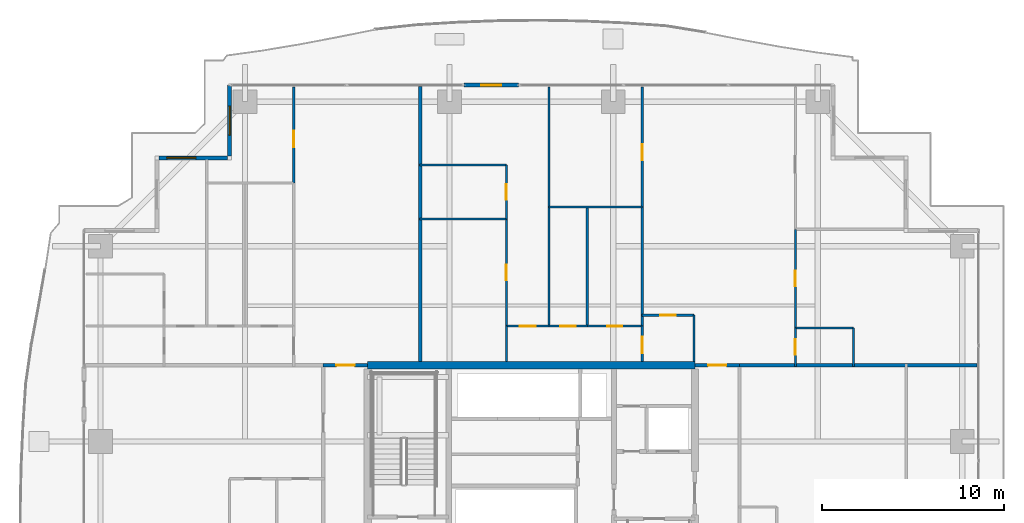
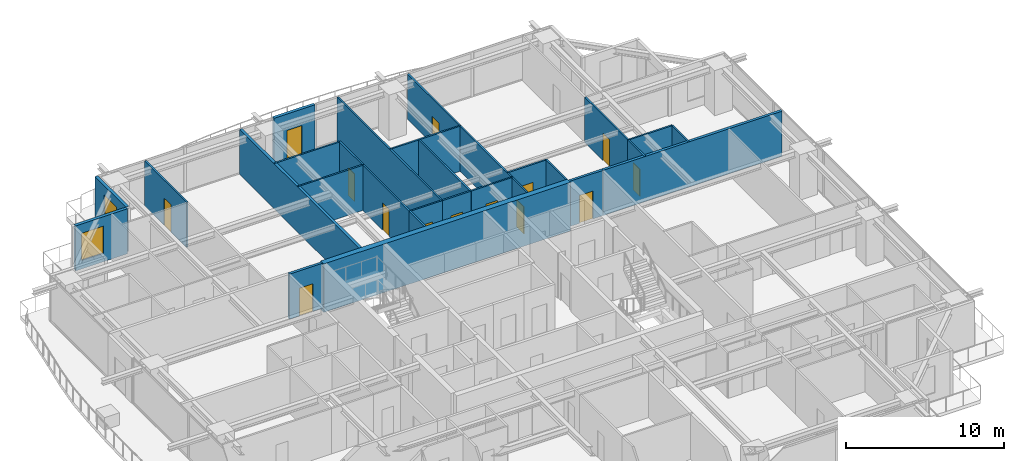
# One storey, part 30 of 37: 29 walls, 14 doors, 2 windows, 16 openings.
"""IFC4 building model written with IfcOpenShell, lengths in metres."""

from ifc_helpers import new_model, si_unit, direction, frame, frame_2d, origin, place, context, subcontext, project, spatial, rectangle, extrude, source, transform, mapped, material, layer, layer_set, type_object, element, fill, save


model = new_model("IFC4")

# Units and contexts
model_context = context("Model", 3, precision=1e-05, world=origin(), true_north=direction((0.0, 1.0)))
body_context = subcontext(model_context, "Body", "Model", "MODEL_VIEW")
ifc_project = project(units=[si_unit("LENGTHUNIT", "METRE"), si_unit("AREAUNIT", "SQUARE_METRE"), si_unit("VOLUMEUNIT", "CUBIC_METRE"), si_unit("PLANEANGLEUNIT", "RADIAN"), si_unit("MASSUNIT", "GRAM", prefix="KILO")], contexts=[model_context])

# Site, building, storey
site_placement = place(None, origin())
site = spatial("IfcSite", under=ifc_project, at=site_placement, CompositionType="ELEMENT")
building_placement = place(site_placement, origin())
building = spatial("IfcBuilding", under=site, at=building_placement, Name="Serunith Strait Residences", CompositionType="ELEMENT")
storey_placement = place(building_placement, frame((0.0, 0.0, 153.89990234375)))
storey = spatial("IfcBuildingStorey", under=building, at=storey_placement, Name="L38", CompositionType="ELEMENT", Elevation=153.89990234375)

# Wall, opening, door
ifc_material_1 = material(Name="Pale-Champagne Aluminium Insulated Panel", Category="aluminium")
ifc_layer_1 = layer(ifc_material_1, 0.219970703125, Name="Pale-Champagne Aluminium Insulated Panel")
ifc_layer_set_1 = layer_set([ifc_layer_1], Name="Pale-Champagne Aluminium Insulated Panel")
wall_type_1 = type_object("IfcWallType", Name="EW-ALUM-220", PredefinedType="ELEMENTEDWALL", material=ifc_layer_set_1)
wall_1_placement = place(storey_placement, frame((31.699951171875, 49.0, 0.0), z_axis=(0.0, 0.0, 1.0), x_axis=(-1.0, 0.0, 0.0)))
wall_1 = element("IfcWall", 1, at=wall_1_placement, inside=storey, type_object=wall_type_1, Name="L38 N Facade Pier Wall", PredefinedType="ELEMENTEDWALL", context=body_context, shape_type="SweptSolid", body=[
    extrude(rectangle(XDim=3.0, YDim=0.219970703125, at=frame_2d((1.5, 0.0))), origin(), (0.0, 0.0, 1.0), 3.47509765625),
])
opening_1_placement = place(wall_1_placement, frame((0.949951171875, 0.0, 0.0)))
opening_1 = element("IfcOpeningElement", 2, at=opening_1_placement, cuts=wall_1, Name="Opening ED-03", PredefinedType="OPENING", context=body_context, shape_type="SweptSolid", body=[
    extrude(rectangle(XDim=1.10009765625, YDim=2.199951171875, at=frame_2d((0.550048828125, 1.10009765625))), frame((0.0, 0.1201171875, 0.0), z_axis=(0.0, -1.0, 0.0), x_axis=(1.0, 0.0, 0.0)), (0.0, 0.0, 1.0), 0.239990234375),
])
ifc_material_2 = material(Name="Thermally-Broken Aluminium Glazed Balcony Door", Category="aluminium")
door_type_1 = type_object("IfcDoorType", Name="ED-BALC-1100", OperationType="NOTDEFINED", PredefinedType="DOOR", material=ifc_material_2)
shared_shape_1 = source(origin(), body_context, "Body", "SweptSolid", [
    extrude(rectangle(XDim=1.10009765625, YDim=2.199951171875, at=frame_2d((0.550048828125, 1.10009765625))), frame((0.0, 0.02490234375, 0.0), z_axis=(0.0, -1.0, 0.0), x_axis=(1.0, 0.0, 0.0)), (0.0, 0.0, 1.0), 0.050048828125),
])
door_1_placement = place(opening_1_placement, origin())
door_1 = element("IfcDoor", 3, at=door_1_placement, inside=storey, type_object=door_type_1, Name="L38 N Vertical-Forest Balcony Door", OperationType="SINGLE_SWING_RIGHT", OverallHeight=2.199951171875, OverallWidth=1.10009765625, PredefinedType="DOOR", context=body_context, shape_type="MappedRepresentation", body=[
    mapped(shared_shape_1, transform((0.0, 0.0, 0.0), scale=1.0)),
])
fill(opening_1, door_1)

# Wall, opening, window
wall_2_placement = place(storey_placement, frame((15.800048828125, 49.0, 0.0), z_axis=(0.0, 0.0, 1.0), x_axis=(0.0, -1.0, 0.0)))
wall_2 = element("IfcWall", 4, at=wall_2_placement, inside=storey, type_object=wall_type_1, Name="L38 Girih Serrated Corner Wall 12", PredefinedType="ELEMENTEDWALL", context=body_context, shape_type="SweptSolid", body=[
    extrude(rectangle(XDim=3.889892578125, YDim=0.219970703125, at=frame_2d((1.94482421875, 0.0))), origin(), (0.0, 0.0, 1.0), 3.47509765625),
])
opening_2_placement = place(wall_2_placement, frame((1.14501953125, 0.0, 0.64990234375)))
opening_2 = element("IfcOpeningElement", 5, at=opening_2_placement, cuts=wall_2, Name="Opening W-02", PredefinedType="OPENING", context=body_context, shape_type="SweptSolid", body=[
    extrude(rectangle(XDim=1.60009765625, YDim=2.10009765625, at=frame_2d((0.800048828125, 1.050048828125))), frame((0.0, 0.1201171875, 0.0), z_axis=(0.0, -1.0, 0.0), x_axis=(1.0, 0.0, 0.0)), (0.0, 0.0, 1.0), 0.239990234375),
])
ifc_material_3 = material(Name="Ceramic-Fritted Operable Aluminium Window Glass", Category="aluminium")
window_type = type_object("IfcWindowType", Name="WIN-C2", PartitioningType="DOUBLE_PANEL_VERTICAL", PredefinedType="WINDOW", material=ifc_material_3)
shared_shape_2 = source(origin(), body_context, "Body", "SweptSolid", [
    extrude(rectangle(XDim=1.60009765625, YDim=2.10009765625, at=frame_2d((0.800048828125, 1.050048828125))), frame((0.0, 0.030029296875, 0.0), z_axis=(0.0, -1.0, 0.0), x_axis=(1.0, 0.0, 0.0)), (0.0, 0.0, 1.0), 0.06005859375),
])
window_1_placement = place(opening_2_placement, origin())
window_1 = element("IfcWindow", 6, at=window_1_placement, inside=storey, type_object=window_type, Name="L38 Corner Operable Fritted Window 12", OverallHeight=2.10009765625, OverallWidth=1.60009765625, PartitioningType="SINGLE_PANEL", PredefinedType="WINDOW", context=body_context, shape_type="MappedRepresentation", body=[
    mapped(shared_shape_2, transform((0.0, 0.0, 0.0), scale=1.0)),
])
fill(opening_2, window_1)

wall_3_placement = place(storey_placement, frame((15.68994140625, 45.0, 0.0), z_axis=(0.0, 0.0, 1.0), x_axis=(-1.0, 0.0, 0.0)))
wall_3 = element("IfcWall", 7, at=wall_3_placement, inside=storey, type_object=wall_type_1, Name="L38 Girih Serrated Corner Wall 13", PredefinedType="ELEMENTEDWALL", context=body_context, shape_type="SweptSolid", body=[
    extrude(rectangle(XDim=3.780029296875, YDim=0.219970703125, at=frame_2d((1.89013671875, 0.0))), origin(), (0.0, 0.0, 1.0), 3.47509765625),
])
opening_3_placement = place(wall_3_placement, frame((1.743896484375, 0.0, 0.64990234375)))
opening_3 = element("IfcOpeningElement", 8, at=opening_3_placement, cuts=wall_3, Name="Opening W-02", PredefinedType="OPENING", context=body_context, shape_type="SweptSolid", body=[
    extrude(rectangle(XDim=1.60009765625, YDim=2.10009765625, at=frame_2d((0.800048828125, 1.050048828125))), frame((0.0, 0.1201171875, 0.0), z_axis=(0.0, -1.0, 0.0), x_axis=(1.0, 0.0, 0.0)), (0.0, 0.0, 1.0), 0.239990234375),
])
window_2_placement = place(opening_3_placement, origin())
window_2 = element("IfcWindow", 9, at=window_2_placement, inside=storey, type_object=window_type, Name="L38 Corner Operable Fritted Window 13", OverallHeight=2.10009765625, OverallWidth=1.60009765625, PartitioningType="SINGLE_PANEL", PredefinedType="WINDOW", context=body_context, shape_type="MappedRepresentation", body=[
    mapped(shared_shape_2, transform((0.0, 0.0, 0.0), scale=1.0)),
])
fill(opening_3, window_2)

# Wall, opening, door
ifc_material_4 = material(Name="Fire-rated acoustic gypsum partition")
ifc_layer_2 = layer(ifc_material_4, 0.179931640625, Name="Fire-rated acoustic gypsum partition")
ifc_layer_set_2 = layer_set([ifc_layer_2], Name="Fire-rated acoustic gypsum partition")
wall_type_2 = type_object("IfcWallType", Name="IW-CORR-180", PredefinedType="PARTITIONING", material=ifc_layer_set_2)
wall_4_placement = place(storey_placement, frame((20.951904296875, 33.60009765625, 0.0), z_axis=(0.0, 0.0, 1.0), x_axis=(1.0, 0.0, 0.0)))
wall_4 = element("IfcWall", 10, at=wall_4_placement, inside=storey, type_object=wall_type_2, Name="L38 Partition Wall 030", PredefinedType="PARTITIONING", context=body_context, shape_type="SweptSolid", body=[
    extrude(rectangle(XDim=2.446044921875, YDim=0.179931640625, at=frame_2d((1.22314453125, 0.0))), origin(), (0.0, 0.0, 1.0), 3.489990234375),
])
opening_4_placement = place(wall_4_placement, frame((0.722900390625, 0.0, 0.0)))
opening_4 = element("IfcOpeningElement", 11, at=opening_4_placement, cuts=wall_4, Name="Opening D-APT1000", PredefinedType="OPENING", context=body_context, shape_type="SweptSolid", body=[
    extrude(rectangle(XDim=1.0, YDim=2.14990234375, at=frame_2d((0.5, 1.074951171875))), frame((0.0, 0.10009765625, 0.0), z_axis=(0.0, -1.0, 0.0), x_axis=(1.0, 0.0, 0.0)), (0.0, 0.0, 1.0), 0.199951171875),
])
ifc_material_5 = material(Name="Solid timber engineered fire door", Category="wood")
door_type_2 = type_object("IfcDoorType", Name="ID-APT-1000", OperationType="NOTDEFINED", PredefinedType="DOOR", material=ifc_material_5)
shared_shape_3 = source(origin(), body_context, "Body", "SweptSolid", [
    extrude(rectangle(XDim=1.0, YDim=2.14990234375, at=frame_2d((0.5, 1.074951171875))), frame((0.0, 0.02490234375, 0.0), z_axis=(0.0, -1.0, 0.0), x_axis=(1.0, 0.0, 0.0)), (0.0, 0.0, 1.0), 0.050048828125),
])
door_2_placement = place(opening_4_placement, origin())
door_2 = element("IfcDoor", 12, at=door_2_placement, inside=storey, type_object=door_type_2, Name="L38 Unit 03 Entrance Door", OperationType="SINGLE_SWING_LEFT", OverallHeight=2.14990234375, OverallWidth=1.0, PredefinedType="DOOR", context=body_context, shape_type="MappedRepresentation", body=[
    mapped(shared_shape_3, transform((0.0, 0.0, 0.0), scale=1.0)),
])
fill(opening_4, door_2)

wall_5_placement = place(storey_placement, frame((41.402099609375, 33.60009765625, 0.0), z_axis=(0.0, 0.0, 1.0), x_axis=(1.0, 0.0, 0.0)))
wall_5 = element("IfcWall", 13, at=wall_5_placement, inside=storey, type_object=wall_type_2, Name="L38 Partition Wall 031", PredefinedType="PARTITIONING", context=body_context, shape_type="SweptSolid", body=[
    extrude(rectangle(XDim=2.44580078125, YDim=0.179931640625, at=frame_2d((1.222900390625, 0.0))), origin(), (0.0, 0.0, 1.0), 3.489990234375),
])
opening_5_placement = place(wall_5_placement, frame((0.722900390625, 0.0, 0.0)))
opening_5 = element("IfcOpeningElement", 14, at=opening_5_placement, cuts=wall_5, Name="Opening D-APT1000", PredefinedType="OPENING", context=body_context, shape_type="SweptSolid", body=[
    extrude(rectangle(XDim=1.0, YDim=2.14990234375, at=frame_2d((0.5, 1.074951171875))), frame((0.0, 0.10009765625, 0.0), z_axis=(0.0, -1.0, 0.0), x_axis=(1.0, 0.0, 0.0)), (0.0, 0.0, 1.0), 0.199951171875),
])
door_3_placement = place(opening_5_placement, origin())
door_3 = element("IfcDoor", 15, at=door_3_placement, inside=storey, type_object=door_type_2, Name="L38 Unit 04 Entrance Door", OperationType="SINGLE_SWING_RIGHT", OverallHeight=2.14990234375, OverallWidth=1.0, PredefinedType="DOOR", context=body_context, shape_type="MappedRepresentation", body=[
    mapped(shared_shape_3, transform((0.0, 0.0, 0.0), scale=1.0)),
])
fill(opening_5, door_3)

ifc_material_6 = material(Name="Lightweight steel-stud gypsum partition", Category="steel")
ifc_layer_3 = layer(ifc_material_6, 0.1201171875, Name="Lightweight steel-stud gypsum partition")
ifc_layer_set_3 = layer_set([ifc_layer_3], Name="Lightweight steel-stud gypsum partition")
wall_type_3 = type_object("IfcWallType", Name="IW-PART-120", PredefinedType="PARTITIONING", material=ifc_layer_set_3)
wall_6_placement = place(storey_placement, frame((19.330078125, 48.905029296875, 0.0), z_axis=(0.0, 0.0, 1.0), x_axis=(0.0, -1.0, 0.0)))
wall_6 = element("IfcWall", 16, at=wall_6_placement, inside=storey, type_object=wall_type_3, Name="L38 Partition Wall 070", PredefinedType="PARTITIONING", context=body_context, shape_type="SweptSolid", body=[
    extrude(rectangle(XDim=5.2900390625, YDim=0.1201171875, at=frame_2d((2.64501953125, 0.0))), origin(), (0.0, 0.0, 1.0), 3.489990234375),
])
opening_6_placement = place(wall_6_placement, frame((2.4140625, 0.0, 0.0)))
opening_6 = element("IfcOpeningElement", 17, at=opening_6_placement, cuts=wall_6, Name="Opening D-RM900", PredefinedType="OPENING", context=body_context, shape_type="SweptSolid", body=[
    extrude(rectangle(XDim=0.89990234375, YDim=2.10009765625, at=frame_2d((0.449951171875, 1.050048828125))), frame((0.0, 0.070068359375, 0.0), z_axis=(0.0, -1.0, 0.0), x_axis=(1.0, 0.0, 0.0)), (0.0, 0.0, 1.0), 0.14013671875),
])
ifc_material_7 = material(Name="Engineered timber flush bedroom door", Category="wood")
door_type_3 = type_object("IfcDoorType", Name="ID-ROOM-900", OperationType="NOTDEFINED", PredefinedType="DOOR", material=ifc_material_7)
shared_shape_4 = source(origin(), body_context, "Body", "SweptSolid", [
    extrude(rectangle(XDim=0.89990234375, YDim=2.10009765625, at=frame_2d((0.449951171875, 1.050048828125))), frame((0.0, 0.02490234375, 0.0), z_axis=(0.0, -1.0, 0.0), x_axis=(1.0, 0.0, 0.0)), (0.0, 0.0, 1.0), 0.050048828125),
])
door_4_placement = place(opening_6_placement, origin())
door_4 = element("IfcDoor", 18, at=door_4_placement, inside=storey, type_object=door_type_3, Name="L38 Study 1 3803 Door", OperationType="SINGLE_SWING_LEFT", OverallHeight=2.10009765625, OverallWidth=0.89990234375, PredefinedType="DOOR", context=body_context, shape_type="MappedRepresentation", body=[
    mapped(shared_shape_4, transform((0.0, 0.0, 0.0), scale=1.0)),
])
fill(opening_6, door_4)

wall_7_placement = place(storey_placement, frame((38.5, 36.35009765625, 0.0), z_axis=(0.0, 0.0, 1.0), x_axis=(1.0, 0.0, 0.0)))
wall_7 = element("IfcWall", 19, at=wall_7_placement, inside=storey, type_object=wall_type_3, Name="L38 Partition Wall 082", PredefinedType="PARTITIONING", context=body_context, shape_type="SweptSolid", body=[
    extrude(rectangle(XDim=2.85009765625, YDim=0.1201171875, at=frame_2d((1.425048828125, 0.0))), origin(), (0.0, 0.0, 1.0), 3.489990234375),
])
opening_7_placement = place(wall_7_placement, frame((1.0, 0.0, 0.0)))
opening_7 = element("IfcOpeningElement", 20, at=opening_7_placement, cuts=wall_7, Name="Opening D-RM850", PredefinedType="OPENING", context=body_context, shape_type="SweptSolid", body=[
    extrude(rectangle(XDim=0.85009765625, YDim=2.10009765625, at=frame_2d((0.425048828125, 1.050048828125))), frame((0.0, 0.070068359375, 0.0), z_axis=(0.0, -1.0, 0.0), x_axis=(1.0, 0.0, 0.0)), (0.0, 0.0, 1.0), 0.14013671875),
])
ifc_material_8 = material(Name="Engineered timber flush study and kitchen door", Category="wood")
door_type_4 = type_object("IfcDoorType", Name="ID-ROOM-850", OperationType="NOTDEFINED", PredefinedType="DOOR", material=ifc_material_8)
shared_shape_5 = source(origin(), body_context, "Body", "SweptSolid", [
    extrude(rectangle(XDim=0.85009765625, YDim=2.10009765625, at=frame_2d((0.425048828125, 1.050048828125))), frame((0.0, 0.02490234375, 0.0), z_axis=(0.0, -1.0, 0.0), x_axis=(1.0, 0.0, 0.0)), (0.0, 0.0, 1.0), 0.050048828125),
])
door_5_placement = place(opening_7_placement, origin())
door_5 = element("IfcDoor", 21, at=door_5_placement, inside=storey, type_object=door_type_4, Name="L38 Kitchen 3804 Door", OperationType="SINGLE_SWING_LEFT", OverallHeight=2.10009765625, OverallWidth=0.85009765625, PredefinedType="DOOR", context=body_context, shape_type="MappedRepresentation", body=[
    mapped(shared_shape_5, transform((0.0, 0.0, 0.0), scale=1.0)),
])
fill(opening_7, door_5)

# Wall
wall_8_placement = place(storey_placement, frame((41.35009765625, 36.35009765625, 0.0), z_axis=(0.0, 0.0, 1.0), x_axis=(0.0, -1.0, 0.0)))
element("IfcWall", 22, at=wall_8_placement, inside=storey, type_object=wall_type_3, Name="L38 Partition Wall 083", PredefinedType="PARTITIONING", context=body_context, shape_type="SweptSolid", body=[
    extrude(rectangle(XDim=2.550048828125, YDim=0.1201171875, at=frame_2d((1.27490234375, 0.0))), origin(), (0.0, 0.0, 1.0), 3.489990234375),
])

# Wall, opening, door
wall_9_placement = place(storey_placement, frame((38.5, 35.75, 0.0), z_axis=(0.0, 0.0, 1.0), x_axis=(0.0, -1.0, 0.0)))
wall_9 = element("IfcWall", 23, at=wall_9_placement, inside=storey, type_object=wall_type_3, Name="L38 Partition Wall 084", PredefinedType="PARTITIONING", context=body_context, shape_type="SweptSolid", body=[
    extrude(rectangle(XDim=1.949951171875, YDim=0.1201171875, at=frame_2d((0.97509765625, 0.0))), origin(), (0.0, 0.0, 1.0), 3.489990234375),
])
opening_8_placement = place(wall_9_placement, frame((0.594970703125, 0.0, 0.0)))
opening_8 = element("IfcOpeningElement", 24, at=opening_8_placement, cuts=wall_9, Name="Opening D-RM900", PredefinedType="OPENING", context=body_context, shape_type="SweptSolid", body=[
    extrude(rectangle(XDim=0.89990234375, YDim=2.10009765625, at=frame_2d((0.449951171875, 1.050048828125))), frame((0.0, 0.070068359375, 0.0), z_axis=(0.0, -1.0, 0.0), x_axis=(1.0, 0.0, 0.0)), (0.0, 0.0, 1.0), 0.14013671875),
])
door_6_placement = place(opening_8_placement, origin())
door_6 = element("IfcDoor", 25, at=door_6_placement, inside=storey, type_object=door_type_3, Name="L38 Hall W 3804 Door", OperationType="SINGLE_SWING_RIGHT", OverallHeight=2.10009765625, OverallWidth=0.89990234375, PredefinedType="DOOR", context=body_context, shape_type="MappedRepresentation", body=[
    mapped(shared_shape_4, transform((0.0, 0.0, 0.0), scale=1.0)),
])
fill(opening_8, door_6)

wall_10_placement = place(storey_placement, frame((38.5, 48.905029296875, 0.0), z_axis=(0.0, 0.0, 1.0), x_axis=(0.0, -1.0, 0.0)))
wall_10 = element("IfcWall", 26, at=wall_10_placement, inside=storey, type_object=wall_type_3, Name="L38 Partition Wall 085", PredefinedType="PARTITIONING", context=body_context, shape_type="SweptSolid", body=[
    extrude(rectangle(XDim=6.60693359375, YDim=0.1201171875, at=frame_2d((3.303466796875, 0.0))), origin(), (0.0, 0.0, 1.0), 3.489990234375),
])
opening_9_placement = place(wall_10_placement, frame((3.138916015625, 0.0, 0.0)))
opening_9 = element("IfcOpeningElement", 27, at=opening_9_placement, cuts=wall_10, Name="Opening D-RM900", PredefinedType="OPENING", context=body_context, shape_type="SweptSolid", body=[
    extrude(rectangle(XDim=0.89990234375, YDim=2.10009765625, at=frame_2d((0.449951171875, 1.050048828125))), frame((0.0, 0.070068359375, 0.0), z_axis=(0.0, -1.0, 0.0), x_axis=(1.0, 0.0, 0.0)), (0.0, 0.0, 1.0), 0.14013671875),
])
door_7_placement = place(opening_9_placement, origin())
door_7 = element("IfcDoor", 28, at=door_7_placement, inside=storey, type_object=door_type_3, Name="L38 Formal Dining Room 1 3804 Door", OperationType="SINGLE_SWING_LEFT", OverallHeight=2.10009765625, OverallWidth=0.89990234375, PredefinedType="DOOR", context=body_context, shape_type="MappedRepresentation", body=[
    mapped(shared_shape_4, transform((0.0, 0.0, 0.0), scale=1.0)),
])
fill(opening_9, door_7)

# Walls
wall_11_placement = place(storey_placement, frame((38.5, 42.2958984375, 0.0), z_axis=(0.0, 0.0, 1.0), x_axis=(0.0, -1.0, 0.0)))
element("IfcWall", 29, at=wall_11_placement, inside=storey, type_object=wall_type_3, Name="L38 Partition Wall 086", PredefinedType="PARTITIONING", context=body_context, shape_type="SweptSolid", body=[
    extrude(rectangle(XDim=6.5439453125, YDim=0.1201171875, at=frame_2d((3.27197265625, 0.0))), origin(), (0.0, 0.0, 1.0), 3.489990234375),
])
wall_12_placement = place(storey_placement, frame((33.3798828125, 42.298095703125, 0.0), z_axis=(0.0, 0.0, 1.0), x_axis=(1.0, 0.0, 0.0)))
element("IfcWall", 30, at=wall_12_placement, inside=storey, type_object=wall_type_3, Name="L38 Partition Wall 087", PredefinedType="PARTITIONING", context=body_context, shape_type="SweptSolid", body=[
    extrude(rectangle(XDim=5.1201171875, YDim=0.1201171875, at=frame_2d((2.56005859375, 0.0))), origin(), (0.0, 0.0, 1.0), 3.489990234375),
])
wall_13_placement = place(storey_placement, frame((33.3798828125, 48.905029296875, 0.0), z_axis=(0.0, 0.0, 1.0), x_axis=(0.0, -1.0, 0.0)))
element("IfcWall", 31, at=wall_13_placement, inside=storey, type_object=wall_type_3, Name="L38 Partition Wall 088", PredefinedType="PARTITIONING", context=body_context, shape_type="SweptSolid", body=[
    extrude(rectangle(XDim=13.155029296875, YDim=0.1201171875, at=frame_2d((6.57763671875, 0.0))), origin(), (0.0, 0.0, 1.0), 3.489990234375),
])
wall_14_placement = place(storey_placement, frame((35.47998046875, 42.298095703125, 0.0), z_axis=(0.0, 0.0, 1.0), x_axis=(0.0, -1.0, 0.0)))
element("IfcWall", 32, at=wall_14_placement, inside=storey, type_object=wall_type_3, Name="L38 Partition Wall 089", PredefinedType="PARTITIONING", context=body_context, shape_type="SweptSolid", body=[
    extrude(rectangle(XDim=6.548095703125, YDim=0.1201171875, at=frame_2d((3.27392578125, 0.0))), origin(), (0.0, 0.0, 1.0), 3.489990234375),
])

# Wall, opening, door
wall_15_placement = place(storey_placement, frame((33.3798828125, 35.75, 0.0), z_axis=(0.0, 0.0, 1.0), x_axis=(1.0, 0.0, 0.0)))
wall_15 = element("IfcWall", 33, at=wall_15_placement, inside=storey, type_object=wall_type_3, Name="L38 Partition Wall 090", PredefinedType="PARTITIONING", context=body_context, shape_type="SweptSolid", body=[
    extrude(rectangle(XDim=2.10009765625, YDim=0.1201171875, at=frame_2d((1.050048828125, 0.0))), origin(), (0.0, 0.0, 1.0), 3.489990234375),
])
opening_10_placement = place(wall_15_placement, frame((0.625, 0.0, 0.0)))
opening_10 = element("IfcOpeningElement", 34, at=opening_10_placement, cuts=wall_15, Name="Opening D-BTH850", PredefinedType="OPENING", context=body_context, shape_type="SweptSolid", body=[
    extrude(rectangle(XDim=0.85009765625, YDim=2.10009765625, at=frame_2d((0.425048828125, 1.050048828125))), frame((0.0, 0.070068359375, 0.0), z_axis=(0.0, -1.0, 0.0), x_axis=(1.0, 0.0, 0.0)), (0.0, 0.0, 1.0), 0.14013671875),
])
ifc_material_9 = material(Name="Moisture-resistant timber bathroom door", Category="wood")
door_type_5 = type_object("IfcDoorType", Name="ID-BATH-850", OperationType="NOTDEFINED", PredefinedType="DOOR", material=ifc_material_9)
door_8_placement = place(opening_10_placement, origin())
door_8 = element("IfcDoor", 35, at=door_8_placement, inside=storey, type_object=door_type_5, Name="L38 Bathroom 3804 Door", OperationType="SINGLE_SWING_RIGHT", OverallHeight=2.10009765625, OverallWidth=0.85009765625, PredefinedType="DOOR", context=body_context, shape_type="MappedRepresentation", body=[
    mapped(shared_shape_5, transform((0.0, 0.0, 0.0), scale=1.0)),
])
fill(opening_10, door_8)

wall_16_placement = place(storey_placement, frame((35.48193359375, 35.75, 0.0), z_axis=(0.0, 0.0, 1.0), x_axis=(1.0, 0.0, 0.0)))
wall_16 = element("IfcWall", 36, at=wall_16_placement, inside=storey, type_object=wall_type_3, Name="L38 Partition Wall 091", PredefinedType="PARTITIONING", context=body_context, shape_type="SweptSolid", body=[
    extrude(rectangle(XDim=3.01806640625, YDim=0.1201171875, at=frame_2d((1.509033203125, 0.0))), origin(), (0.0, 0.0, 1.0), 3.489990234375),
])
opening_11_placement = place(wall_16_placement, frame((1.083984375, 0.0, 0.0)))
opening_11 = element("IfcOpeningElement", 37, at=opening_11_placement, cuts=wall_16, Name="Opening D-RM850", PredefinedType="OPENING", context=body_context, shape_type="SweptSolid", body=[
    extrude(rectangle(XDim=0.85009765625, YDim=2.10009765625, at=frame_2d((0.425048828125, 1.050048828125))), frame((0.0, 0.070068359375, 0.0), z_axis=(0.0, -1.0, 0.0), x_axis=(1.0, 0.0, 0.0)), (0.0, 0.0, 1.0), 0.14013671875),
])
door_9_placement = place(opening_11_placement, origin())
door_9 = element("IfcDoor", 38, at=door_9_placement, inside=storey, type_object=door_type_4, Name="L38 Formal Dining Room 3804 Door", OperationType="SINGLE_SWING_LEFT", OverallHeight=2.10009765625, OverallWidth=0.85009765625, PredefinedType="DOOR", context=body_context, shape_type="MappedRepresentation", body=[
    mapped(shared_shape_5, transform((0.0, 0.0, 0.0), scale=1.0)),
])
fill(opening_11, door_9)

wall_17_placement = place(storey_placement, frame((31.030029296875, 35.75, 0.0), z_axis=(0.0, 0.0, 1.0), x_axis=(1.0, 0.0, 0.0)))
wall_17 = element("IfcWall", 39, at=wall_17_placement, inside=storey, type_object=wall_type_3, Name="L38 Partition Wall 092", PredefinedType="PARTITIONING", context=body_context, shape_type="SweptSolid", body=[
    extrude(rectangle(XDim=2.347900390625, YDim=0.1201171875, at=frame_2d((1.173828125, 0.0))), origin(), (0.0, 0.0, 1.0), 3.489990234375),
])
opening_12_placement = place(wall_17_placement, frame((0.72412109375, 0.0, 0.0)))
opening_12 = element("IfcOpeningElement", 40, at=opening_12_placement, cuts=wall_17, Name="Opening D-RM900", PredefinedType="OPENING", context=body_context, shape_type="SweptSolid", body=[
    extrude(rectangle(XDim=0.89990234375, YDim=2.10009765625, at=frame_2d((0.449951171875, 1.050048828125))), frame((0.0, 0.070068359375, 0.0), z_axis=(0.0, -1.0, 0.0), x_axis=(1.0, 0.0, 0.0)), (0.0, 0.0, 1.0), 0.14013671875),
])
door_10_placement = place(opening_12_placement, origin())
door_10 = element("IfcDoor", 41, at=door_10_placement, inside=storey, type_object=door_type_3, Name="L38 Master Bedroom W 3804 Door", OperationType="SINGLE_SWING_RIGHT", OverallHeight=2.10009765625, OverallWidth=0.89990234375, PredefinedType="DOOR", context=body_context, shape_type="MappedRepresentation", body=[
    mapped(shared_shape_4, transform((0.0, 0.0, 0.0), scale=1.0)),
])
fill(opening_12, door_10)

# Walls
for number, where, z_axis, x_axis, name in (
    (42, (26.239990234375, 44.60595703125, 0.0), (0.0, 0.0, 1.0), (1.0, 0.0, 0.0), "L38 Partition Wall 093"),
    (43, (26.239990234375, 41.64599609375, 0.0), (0.0, 0.0, 1.0), (1.0, 0.0, 0.0), "L38 Partition Wall 094"),
):
    element("IfcWall", number, at=place(storey_placement, frame(where, z_axis=z_axis, x_axis=x_axis)), inside=storey, type_object=wall_type_3, Name=name, PredefinedType="PARTITIONING", context=body_context, shape_type="SweptSolid", body=[
        extrude(rectangle(XDim=4.7900390625, YDim=0.1201171875, at=frame_2d((2.39501953125, 0.0))), origin(), (0.0, 0.0, 1.0), 3.489990234375),
    ])

# Wall, opening, door
wall_18_placement = place(storey_placement, frame((31.030029296875, 44.60595703125, 0.0), z_axis=(0.0, 0.0, 1.0), x_axis=(0.0, -1.0, 0.0)))
wall_18 = element("IfcWall", 44, at=wall_18_placement, inside=storey, type_object=wall_type_3, Name="L38 Partition Wall 095", PredefinedType="PARTITIONING", context=body_context, shape_type="SweptSolid", body=[
    extrude(rectangle(XDim=2.9599609375, YDim=0.1201171875, at=frame_2d((1.47998046875, 0.0))), origin(), (0.0, 0.0, 1.0), 3.489990234375),
])
opening_13_placement = place(wall_18_placement, frame((1.054931640625, 0.0, 0.0)))
opening_13 = element("IfcOpeningElement", 45, at=opening_13_placement, cuts=wall_18, Name="Opening D-BTH850", PredefinedType="OPENING", context=body_context, shape_type="SweptSolid", body=[
    extrude(rectangle(XDim=0.85009765625, YDim=2.10009765625, at=frame_2d((0.425048828125, 1.050048828125))), frame((0.0, 0.070068359375, 0.0), z_axis=(0.0, -1.0, 0.0), x_axis=(1.0, 0.0, 0.0)), (0.0, 0.0, 1.0), 0.14013671875),
])
door_11_placement = place(opening_13_placement, origin())
door_11 = element("IfcDoor", 46, at=door_11_placement, inside=storey, type_object=door_type_5, Name="L38 En-suite Bathroom W 3804 Door", OperationType="SINGLE_SWING_LEFT", OverallHeight=2.10009765625, OverallWidth=0.85009765625, PredefinedType="DOOR", context=body_context, shape_type="MappedRepresentation", body=[
    mapped(shared_shape_5, transform((0.0, 0.0, 0.0), scale=1.0)),
])
fill(opening_13, door_11)

wall_19_placement = place(storey_placement, frame((31.030029296875, 41.64404296875, 0.0), z_axis=(0.0, 0.0, 1.0), x_axis=(0.0, -1.0, 0.0)))
wall_19 = element("IfcWall", 47, at=wall_19_placement, inside=storey, type_object=wall_type_3, Name="L38 Partition Wall 096", PredefinedType="PARTITIONING", context=body_context, shape_type="SweptSolid", body=[
    extrude(rectangle(XDim=5.89404296875, YDim=0.1201171875, at=frame_2d((2.947021484375, 0.0))), origin(), (0.0, 0.0, 1.0), 3.489990234375),
])
opening_14_placement = place(wall_19_placement, frame((2.52197265625, 0.0, 0.0)))
opening_14 = element("IfcOpeningElement", 48, at=opening_14_placement, cuts=wall_19, Name="Opening D-RM850", PredefinedType="OPENING", context=body_context, shape_type="SweptSolid", body=[
    extrude(rectangle(XDim=0.85009765625, YDim=2.10009765625, at=frame_2d((0.425048828125, 1.050048828125))), frame((0.0, 0.070068359375, 0.0), z_axis=(0.0, -1.0, 0.0), x_axis=(1.0, 0.0, 0.0)), (0.0, 0.0, 1.0), 0.14013671875),
])
door_12_placement = place(opening_14_placement, origin())
door_12 = element("IfcDoor", 49, at=door_12_placement, inside=storey, type_object=door_type_4, Name="L38 Wardrobe W 3804 Door", OperationType="SINGLE_SWING_RIGHT", OverallHeight=2.10009765625, OverallWidth=0.85009765625, PredefinedType="DOOR", context=body_context, shape_type="MappedRepresentation", body=[
    mapped(shared_shape_5, transform((0.0, 0.0, 0.0), scale=1.0)),
])
fill(opening_14, door_12)

# Walls
wall_20_placement = place(storey_placement, frame((31.030029296875, 35.748046875, 0.0), z_axis=(0.0, 0.0, 1.0), x_axis=(0.0, -1.0, 0.0)))
element("IfcWall", 50, at=wall_20_placement, inside=storey, type_object=wall_type_3, Name="L38 Partition Wall 097", PredefinedType="PARTITIONING", context=body_context, shape_type="SweptSolid", body=[
    extrude(rectangle(XDim=1.947998046875, YDim=0.1201171875, at=frame_2d((0.97412109375, 0.0))), origin(), (0.0, 0.0, 1.0), 3.489990234375),
])
wall_21_placement = place(storey_placement, frame((46.929931640625, 35.64990234375, 0.0), z_axis=(0.0, 0.0, 1.0), x_axis=(1.0, 0.0, 0.0)))
element("IfcWall", 51, at=wall_21_placement, inside=storey, type_object=wall_type_3, Name="L38 Partition Wall 100", PredefinedType="PARTITIONING", context=body_context, shape_type="SweptSolid", body=[
    extrude(rectangle(XDim=3.199951171875, YDim=0.1201171875, at=frame_2d((1.60009765625, 0.0))), origin(), (0.0, 0.0, 1.0), 3.489990234375),
])
wall_22_placement = place(storey_placement, frame((50.1298828125, 35.64990234375, 0.0), z_axis=(0.0, 0.0, 1.0), x_axis=(0.0, -1.0, 0.0)))
element("IfcWall", 52, at=wall_22_placement, inside=storey, type_object=wall_type_3, Name="L38 Partition Wall 101", PredefinedType="PARTITIONING", context=body_context, shape_type="SweptSolid", body=[
    extrude(rectangle(XDim=2.10986328125, YDim=0.1201171875, at=frame_2d((1.054931640625, 0.0))), origin(), (0.0, 0.0, 1.0), 3.489990234375),
])

# Wall, opening, door
wall_23_placement = place(storey_placement, frame((46.929931640625, 41.072998046875, 0.0), z_axis=(0.0, 0.0, 1.0), x_axis=(0.0, -1.0, 0.0)))
wall_23 = element("IfcWall", 53, at=wall_23_placement, inside=storey, type_object=wall_type_3, Name="L38 Partition Wall 102", PredefinedType="PARTITIONING", context=body_context, shape_type="SweptSolid", body=[
    extrude(rectangle(XDim=5.423095703125, YDim=0.1201171875, at=frame_2d((2.71142578125, 0.0))), origin(), (0.0, 0.0, 1.0), 3.489990234375),
])
opening_15_placement = place(wall_23_placement, frame((2.287109375, 0.0, 0.0)))
opening_15 = element("IfcOpeningElement", 54, at=opening_15_placement, cuts=wall_23, Name="Opening D-RM850", PredefinedType="OPENING", context=body_context, shape_type="SweptSolid", body=[
    extrude(rectangle(XDim=0.85009765625, YDim=2.10009765625, at=frame_2d((0.425048828125, 1.050048828125))), frame((0.0, 0.070068359375, 0.0), z_axis=(0.0, -1.0, 0.0), x_axis=(1.0, 0.0, 0.0)), (0.0, 0.0, 1.0), 0.14013671875),
])
door_13_placement = place(opening_15_placement, origin())
door_13 = element("IfcDoor", 55, at=door_13_placement, inside=storey, type_object=door_type_4, Name="L38 Walk-in Wardrobe 3804 Door", OperationType="SINGLE_SWING_RIGHT", OverallHeight=2.10009765625, OverallWidth=0.85009765625, PredefinedType="DOOR", context=body_context, shape_type="MappedRepresentation", body=[
    mapped(shared_shape_5, transform((0.0, 0.0, 0.0), scale=1.0)),
])
fill(opening_15, door_13)

wall_24_placement = place(storey_placement, frame((46.929931640625, 35.64794921875, 0.0), z_axis=(0.0, 0.0, 1.0), x_axis=(0.0, -1.0, 0.0)))
wall_24 = element("IfcWall", 56, at=wall_24_placement, inside=storey, type_object=wall_type_3, Name="L38 Partition Wall 103", PredefinedType="PARTITIONING", context=body_context, shape_type="SweptSolid", body=[
    extrude(rectangle(XDim=2.10791015625, YDim=0.1201171875, at=frame_2d((1.053955078125, 0.0))), origin(), (0.0, 0.0, 1.0), 3.489990234375),
])
opening_16_placement = place(wall_24_placement, frame((0.62890625, 0.0, 0.0)))
opening_16 = element("IfcOpeningElement", 57, at=opening_16_placement, cuts=wall_24, Name="Opening D-BTH850", PredefinedType="OPENING", context=body_context, shape_type="SweptSolid", body=[
    extrude(rectangle(XDim=0.85009765625, YDim=2.10009765625, at=frame_2d((0.425048828125, 1.050048828125))), frame((0.0, 0.070068359375, 0.0), z_axis=(0.0, -1.0, 0.0), x_axis=(1.0, 0.0, 0.0)), (0.0, 0.0, 1.0), 0.14013671875),
])
door_14_placement = place(opening_16_placement, origin())
door_14 = element("IfcDoor", 58, at=door_14_placement, inside=storey, type_object=door_type_5, Name="L38 Bathroom 3804 Door", OperationType="SINGLE_SWING_LEFT", OverallHeight=2.10009765625, OverallWidth=0.85009765625, PredefinedType="DOOR", context=body_context, shape_type="MappedRepresentation", body=[
    mapped(shared_shape_5, transform((0.0, 0.0, 0.0), scale=1.0)),
])
fill(opening_16, door_14)

# Walls
ifc_material_10 = material(Name="Twin-stud acoustic gypsum board partition")
ifc_layer_4 = layer(ifc_material_10, 0.199951171875, Name="Twin-stud acoustic gypsum board partition")
ifc_layer_set_4 = layer_set([ifc_layer_4], Name="Twin-stud acoustic gypsum board partition")
wall_type_4 = type_object("IfcWallType", Name="IW-PARTY-200", PredefinedType="PARTITIONING", material=ifc_layer_set_4)
wall_25_placement = place(storey_placement, frame((26.300048828125, 33.800048828125, 0.0), z_axis=(0.0, 0.0, 1.0), x_axis=(0.0, 1.0, 0.0)))
element("IfcWall", 59, at=wall_25_placement, inside=storey, type_object=wall_type_4, Name="L38 Partition Wall 021", PredefinedType="PARTITIONING", context=body_context, shape_type="SweptSolid", body=[
    extrude(rectangle(XDim=15.117919921875, YDim=0.199951171875, at=frame_2d((7.55908203125, 0.0))), origin(), (0.0, 0.0, 1.0), 3.489990234375),
])
wall_26_placement = place(storey_placement, frame((43.85009765625, 33.60009765625, 0.0), z_axis=(0.0, 0.0, 1.0), x_axis=(1.0, 0.0, 0.0)))
element("IfcWall", 60, at=wall_26_placement, inside=storey, type_object=wall_type_4, Name="L38 Partition Wall 026", PredefinedType="PARTITIONING", context=body_context, shape_type="SweptSolid", body=[
    extrude(rectangle(XDim=13.06787109375, YDim=0.199951171875, at=frame_2d((6.533935546875, 0.0))), origin(), (0.0, 0.0, 1.0), 3.489990234375),
])
ifc_material_11 = material(Name="Concrete C70/85", Category="concrete")
ifc_layer_5 = layer(ifc_material_11, 0.39990234375, Name="Concrete C70/85")
ifc_layer_set_5 = layer_set([ifc_layer_5], Name="Concrete C70/85")
wall_type_5 = type_object("IfcWallType", Name="SW-400-C70", PredefinedType="SHEAR", material=ifc_layer_set_5)
wall_27_placement = place(storey_placement, frame((41.39990234375, 33.60009765625, -0.260009765625), z_axis=(0.0, 0.0, 1.0), x_axis=(-1.0, 0.0, 0.0)))
element("IfcWall", 61, at=wall_27_placement, inside=storey, type_object=wall_type_5, Name="L38 Core North Shear Wall", PredefinedType="SHEAR", context=body_context, shape_type="SweptSolid", body=[
    extrude(rectangle(XDim=18.0, YDim=0.39990234375, at=frame_2d((9.0, 0.0))), origin(), (0.0, 0.0, 1.0), 3.748046875),
])

save(model, "model.ifc")
